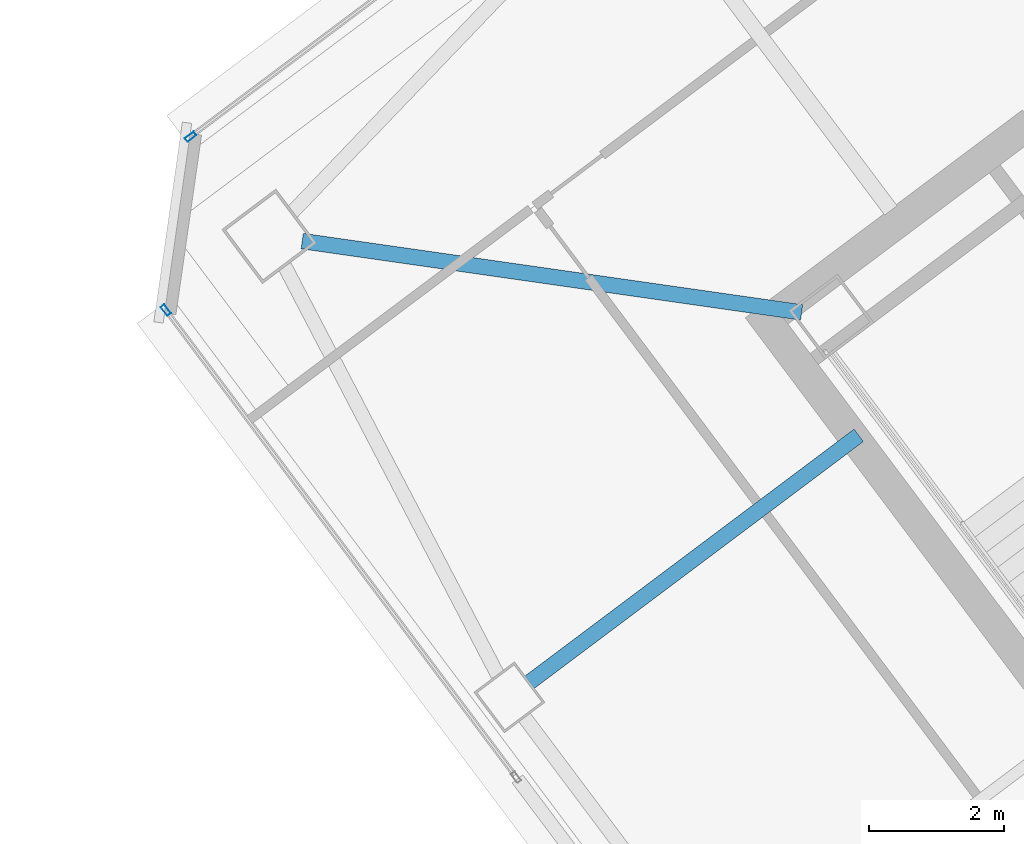
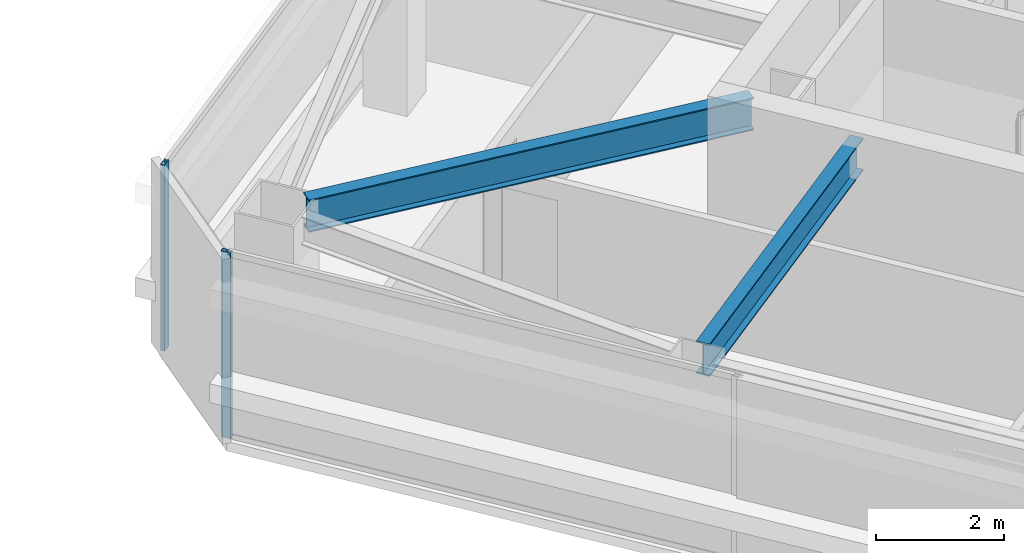
# One storey, part 20 of 39: 2 beams, 2 members, 2 elements without a shape of their own.
"""IFC4 building model written with IfcOpenShell, lengths in metres."""

from ifc_helpers import new_model, si_unit, direction, frame, origin, origin_2d, place, context, subcontext, project, spatial, hollow_rectangle, i_section, extrude, material, material_profile, profile_set, type_object, element, aggregate, save


model = new_model("IFC4")

# Units and contexts
model_context = context("Model", 3, precision=1e-05, world=origin(), true_north=direction((0.0, 1.0)))
body_context = subcontext(model_context, "Body", "Model", "MODEL_VIEW")
ifc_project = project(units=[si_unit("LENGTHUNIT", "METRE"), si_unit("AREAUNIT", "SQUARE_METRE"), si_unit("VOLUMEUNIT", "CUBIC_METRE"), si_unit("PLANEANGLEUNIT", "RADIAN"), si_unit("MASSUNIT", "GRAM", prefix="KILO")], contexts=[model_context])

# Site, building, storey
site_placement = place(None, origin())
site = spatial("IfcSite", under=ifc_project, at=site_placement, CompositionType="ELEMENT")
building_placement = place(site_placement, origin())
building = spatial("IfcBuilding", under=site, at=building_placement, Name="Tashvorn Skyway Center", CompositionType="ELEMENT")
storey_placement = place(building_placement, frame((0.0, 0.0, 243.25)))
storey = spatial("IfcBuildingStorey", under=building, at=storey_placement, Name="L66", CompositionType="ELEMENT", Elevation=243.25)

# Beams
ifc_material_1 = material(Name="Steel ASTM A992 Grade 50", Category="steel")
ifc_material_profile_1 = material_profile(ifc_material_1, i_section(OverallWidth=0.22998046875, OverallDepth=0.616943359375, WebThickness=0.01318359375, FlangeThickness=0.022216796875, at=origin_2d()), Name="W24X94")
ifc_profile_set_1 = profile_set([ifc_material_profile_1], Name="Steel ASTM A992 Grade 50")
beam_type = type_object("IfcBeamType", Name="BM-BEAM-W24X94", PredefinedType="BEAM", material=ifc_profile_set_1)
beam_1_placement = place(storey_placement, frame((96.2900390625, 34.530029296875, 2.94140625), z_axis=(0.989948187102, -0.141430501853, 0.0), x_axis=(0.141430501853, 0.989948187102, 0.0)))
element("IfcBeam", 1, at=beam_1_placement, inside=storey, type_object=beam_type, Name="Tower 2 L66 Primary Floor Girder MC-NW", PredefinedType="BEAM", context=body_context, shape_type="SweptSolid", body=[
    extrude(i_section(OverallWidth=0.22998046875, OverallDepth=0.616943359375, WebThickness=0.01318359375, FlangeThickness=0.022216796875, at=origin_2d()), origin(), (0.0, 0.0, 1.0), 7.474609375),
])
beam_2_placement = place(storey_placement, frame((99.656005859375, 27.991943359375, 2.94140625), z_axis=(0.799980788524, 0.600025614447, 0.0), x_axis=(-0.600025614447, 0.799980788524, 0.0)))
element("IfcBeam", 2, at=beam_2_placement, inside=storey, type_object=beam_type, Name="Tower 2 L66 Primary Floor Girder FC-W1", PredefinedType="BEAM", context=body_context, shape_type="SweptSolid", body=[
    extrude(i_section(OverallWidth=0.22998046875, OverallDepth=0.616943359375, WebThickness=0.01318359375, FlangeThickness=0.022216796875, at=origin_2d()), origin(), (0.0, 0.0, 1.0), 6.10009765625),
])

# Curtain wall, member
ifc_material_2 = material(Name="Thermally broken bronze-anodized aluminium 6063-T6", Category="aluminium")
curtain_wall_type = type_object("IfcCurtainWallType", Name="CW-CW-Z5", PredefinedType="NOTDEFINED", material=ifc_material_2)
curtain_wall_1_placement = place(storey_placement, origin())
curtain_wall_1 = element("IfcCurtainWall", 3, at=curtain_wall_1_placement, inside=storey, type_object=curtain_wall_type, Name="Tower 2 L66 West Unitised Curtain Wall Glazing Group 2", PredefinedType="NOTDEFINED")
ifc_material_profile_2 = material_profile(ifc_material_2, hollow_rectangle(XDim=0.070068359375, YDim=0.1650390625, WallThickness=0.00390625, at=origin_2d()), Name="ALU-MULL-70x165")
ifc_profile_set_2 = profile_set([ifc_material_profile_2], Name="Thermally broken bronze-anodized aluminium 6063-T6")
member_type = type_object("IfcMemberType", Name="CWM-CW-Z5", PredefinedType="MULLION", material=ifc_profile_set_2)
member_1_placement = place(storey_placement, frame((94.26904296875, 33.508056640625, 0.0), z_axis=(0.0, 0.0, 1.0), x_axis=(-0.799999999998, -0.600000000002, 0.0)))
member_1 = element("IfcMember", 4, at=member_1_placement, type_object=member_type, Name="CW-Z5 mullion 2", PredefinedType="MULLION", context=body_context, shape_type="SweptSolid", body=[
    extrude(hollow_rectangle(XDim=0.070068359375, YDim=0.1650390625, WallThickness=0.00390625, at=origin_2d()), origin(), (0.0, 0.0, 1.0), 3.550048828125),
])
aggregate(curtain_wall_1, [member_1])

curtain_wall_2_placement = place(storey_placement, origin())
curtain_wall_2 = element("IfcCurtainWall", 5, at=curtain_wall_2_placement, inside=storey, type_object=curtain_wall_type, Name="Tower 2 L66 North Unitised Curtain Wall Glazing Group 1", PredefinedType="NOTDEFINED")
member_2_placement = place(storey_placement, frame((94.635986328125, 36.076904296875, 0.0), z_axis=(0.0, 0.0, 1.0), x_axis=(-0.600000000002, 0.799999999998, 0.0)))
member_2 = element("IfcMember", 6, at=member_2_placement, type_object=member_type, Name="CW-Z5 mullion 1", PredefinedType="MULLION", context=body_context, shape_type="SweptSolid", body=[
    extrude(hollow_rectangle(XDim=0.070068359375, YDim=0.1650390625, WallThickness=0.00390625, at=origin_2d()), origin(), (0.0, 0.0, 1.0), 3.550048828125),
])
aggregate(curtain_wall_2, [member_2])

save(model, "model.ifc")
